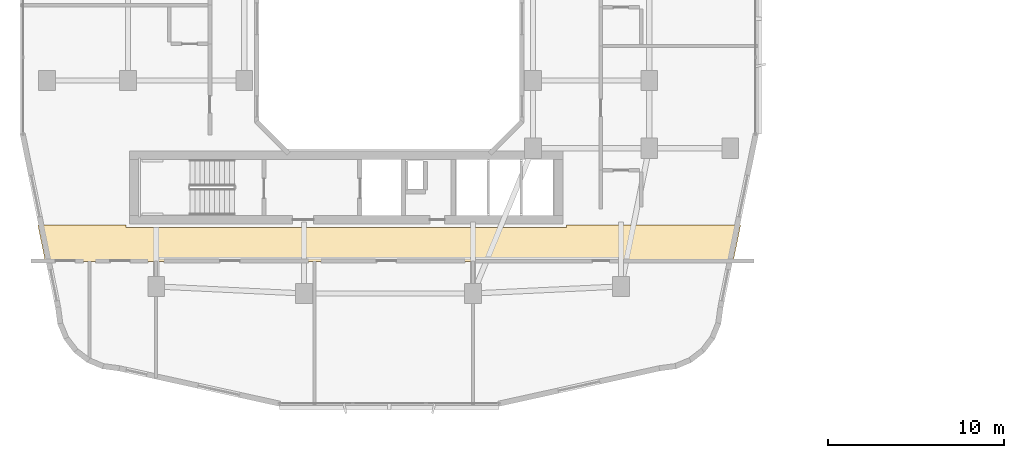
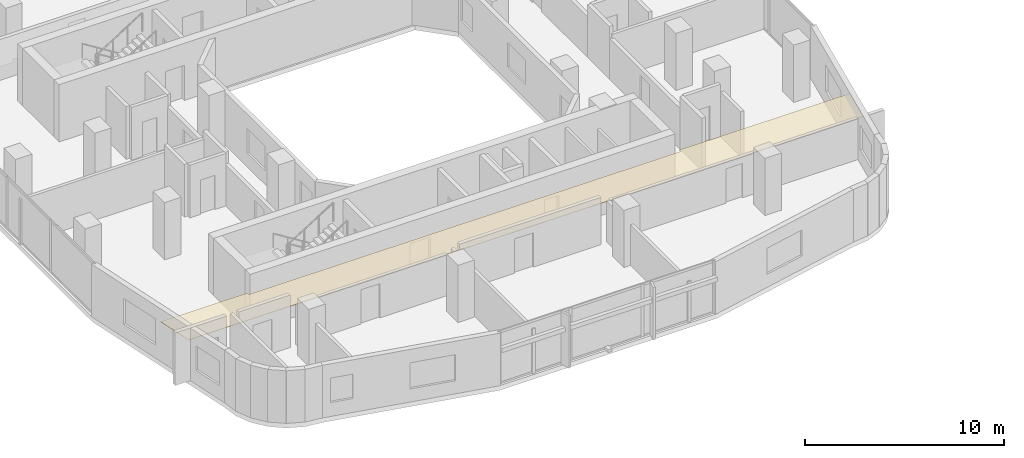
# One storey, part 23 of 26: 1 covering.
"""IFC4 building model written with IfcOpenShell, lengths in metres."""

from ifc_helpers import new_model, si_unit, derived_unit, direction, frame, origin, place, context, subcontext, project, spatial, polyline, outline, extrude, material, layer, layer_set, type_object, element, save


model = new_model("IFC4")

# Units and contexts
model_context = context("Model", 3, precision=1e-05, world=origin(), true_north=direction((0.0, 1.0)))
body_context = subcontext(model_context, "Body", "Model", "MODEL_VIEW")
ifc_project = project(units=[si_unit("LENGTHUNIT", "METRE"), si_unit("AREAUNIT", "SQUARE_METRE"), si_unit("VOLUMEUNIT", "CUBIC_METRE"), si_unit("PLANEANGLEUNIT", "RADIAN"), si_unit("MASSUNIT", "GRAM", prefix="KILO"), derived_unit("THERMALTRANSMITTANCEUNIT", [(si_unit("POWERUNIT", "WATT"), 1), (si_unit("LENGTHUNIT", "METRE"), -2), (si_unit("THERMODYNAMICTEMPERATUREUNIT", "KELVIN"), -1)])], contexts=[model_context])

# Site, building, storey
site_placement = place(None, origin())
site = spatial("IfcSite", under=ifc_project, at=site_placement, CompositionType="ELEMENT")
building_placement = place(site_placement, origin())
building = spatial("IfcBuilding", under=site, at=building_placement, Name="Kivonza Crest Hotel", CompositionType="ELEMENT")
storey_placement = place(building_placement, frame((0.0, 0.0, 66.0)))
storey = spatial("IfcBuildingStorey", under=building, at=storey_placement, Name="L17", CompositionType="ELEMENT", Elevation=66.0)

# Covering
ifc_material = material(Name="Mineral-fibre acoustic ceiling tile", Category="gypsum")
ifc_layer = layer(ifc_material, 0.02490234375)
ifc_layer_set = layer_set([ifc_layer], Name="Mineral-fibre acoustic ceiling tile")
covering_type = type_object("IfcCoveringType", Name="CV-CEIL-ACOU", PredefinedType="CEILING", material=ifc_layer_set)
covering_placement = place(storey_placement, frame((0.0, 0.0, 2.449951171875)))
element("IfcCovering", 1, at=covering_placement, inside=storey, type_object=covering_type, Name="L17 Hotel South Guest Corridor suspended ceiling", PredefinedType="CEILING", context=body_context, shape_type="SweptSolid", body=[
    extrude(outline(polyline([(40.573974609375, 11.2099609375), (40.998046875, 13.2900390625), (31.10009765625, 13.2900390625), (31.10009765625, 13.139892578125), (6.10009765625, 13.139892578125), (6.10009765625, 13.2900390625), (1.08203125, 13.2900390625), (1.506103515625, 11.2099609375), (40.573974609375, 11.2099609375)])), origin(), (0.0, 0.0, 1.0), 0.025146484375),
])

save(model, "model.ifc")
